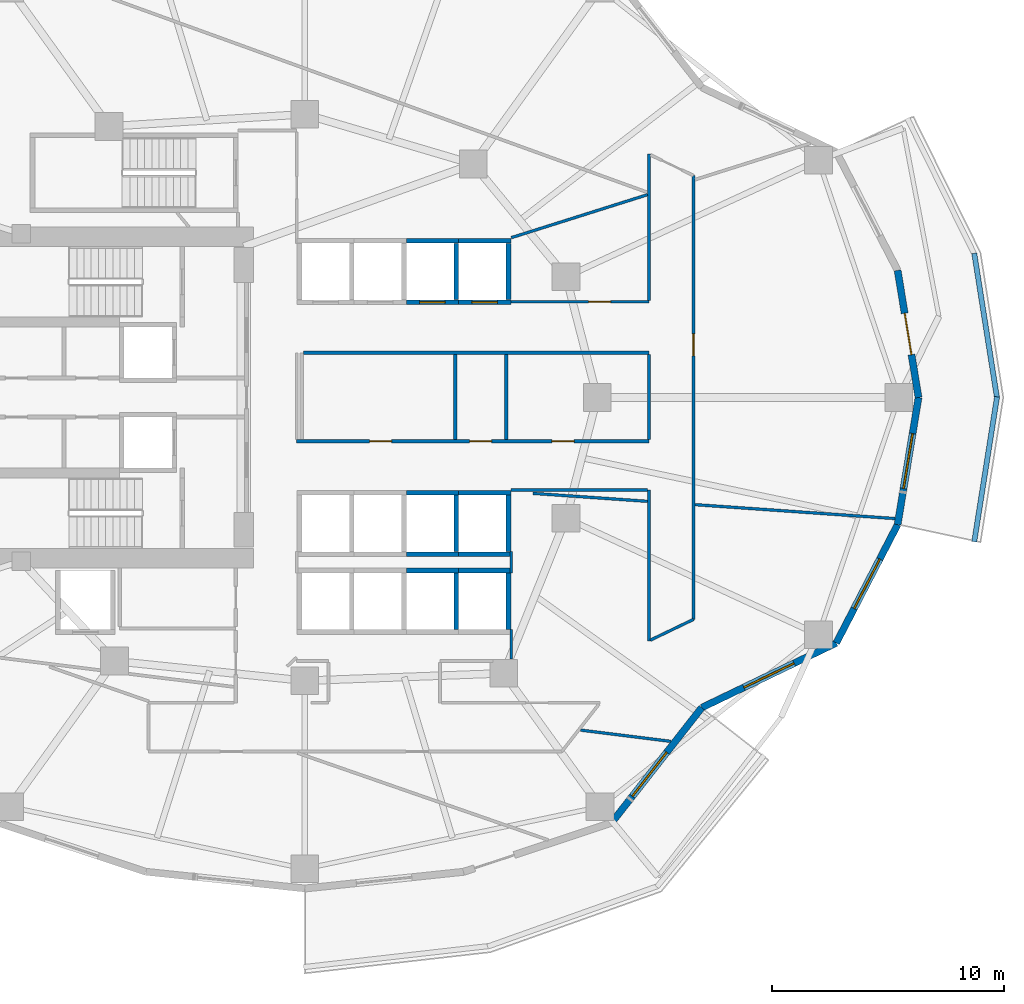
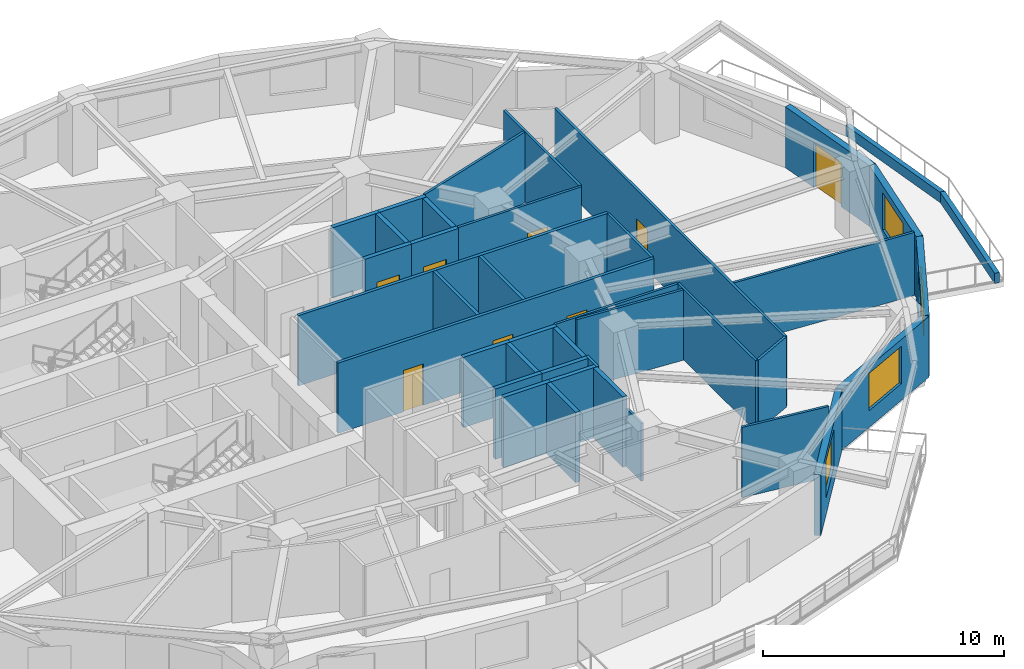
# One storey, part 5 of 11: 40 walls, 8 doors, 4 windows, 12 openings.
"""IFC4 building model written with IfcOpenShell, lengths in metres."""

from ifc_helpers import new_model, si_unit, direction, frame, frame_2d, origin, place, context, subcontext, project, spatial, rectangle, extrude, material, layer, layer_set, type_object, element, fill, save


model = new_model("IFC4")

# Units and contexts
model_context = context("Model", 3, precision=1e-05, world=origin(), true_north=direction((0.0, 1.0)))
body_context = subcontext(model_context, "Body", "Model", "MODEL_VIEW")
ifc_project = project(units=[si_unit("LENGTHUNIT", "METRE"), si_unit("AREAUNIT", "SQUARE_METRE"), si_unit("VOLUMEUNIT", "CUBIC_METRE"), si_unit("PLANEANGLEUNIT", "RADIAN"), si_unit("MASSUNIT", "GRAM", prefix="KILO")], contexts=[model_context])

# Site, building, storey
site_placement = place(None, origin())
site = spatial("IfcSite", under=ifc_project, at=site_placement, CompositionType="ELEMENT")
building_placement = place(site_placement, origin())
building = spatial("IfcBuilding", under=site, at=building_placement, Name="Kolvaren Gate Tower and Convention Centre", CompositionType="ELEMENT")
storey_placement = place(building_placement, frame((0.0, 0.0, 80.39990234375)))
storey = spatial("IfcBuildingStorey", under=building, at=storey_placement, Name="L19", CompositionType="ELEMENT", Elevation=80.39990234375)

# Wall, opening, door
ifc_material_1 = material(Name="Fire-Rated Acoustic Gypsum Stud Partition", Category="gypsum")
ifc_layer_1 = layer(ifc_material_1, 0.1201171875)
ifc_layer_set_1 = layer_set([ifc_layer_1], Name="Fire-Rated Acoustic Gypsum Stud Partition")
wall_type_1 = type_object("IfcWallType", Name="ARCH-WL-PART-120", PredefinedType="PARTITIONING", material=ifc_layer_set_1)
wall_1_placement = place(storey_placement, frame((39.02001953125, 31.1201171875, 0.0), z_axis=(0.0, 0.0, 1.0), x_axis=(1.0, 0.0, 0.0)))
wall_1 = element("IfcWall", 1, at=wall_1_placement, inside=storey, type_object=wall_type_1, Name="Interior Partition WL-L19-INT-031", PredefinedType="PARTITIONING", context=body_context, shape_type="SweptSolid", body=[
    extrude(rectangle(XDim=5.929931640625, YDim=0.1201171875, at=frame_2d((2.96484375, 0.0))), origin(), (0.0, 0.0, 1.0), 3.570068359375),
])
opening_1_placement = place(wall_1_placement, frame((3.330078125, 0.0, 0.0)))
opening_1 = element("IfcOpeningElement", 2, at=opening_1_placement, cuts=wall_1, Name="Opening DR-01", PredefinedType="OPENING", context=body_context, shape_type="SweptSolid", body=[
    extrude(rectangle(XDim=0.949951171875, YDim=2.10009765625, at=frame_2d((0.47509765625, 1.050048828125))), frame((0.0, 0.070068359375, 0.0), z_axis=(0.0, -1.0, 0.0), x_axis=(1.0, 0.0, 0.0)), (0.0, 0.0, 1.0), 0.14013671875),
])
ifc_material_2 = material(Name="Painted Architectural Steelwork ASTM A500 Grade C 345 MPa", Category="steel")
door_type_1 = type_object("IfcDoorType", Name="ARCH-DR-RISER-950", OperationType="SINGLE_SWING_RIGHT", PredefinedType="DOOR", material=ifc_material_2)
door_1_placement = place(opening_1_placement, origin())
door_1 = element("IfcDoor", 3, at=door_1_placement, inside=storey, type_object=door_type_1, Name="First-Aid Room Door", OperationType="SINGLE_SWING_LEFT", OverallHeight=2.10009765625, OverallWidth=0.949951171875, PredefinedType="DOOR", context=body_context, shape_type="SweptSolid", body=[
    extrude(rectangle(XDim=0.949951171875, YDim=2.10009765625, at=frame_2d((0.47509765625, 1.050048828125))), frame((0.0, 0.02490234375, 0.0), z_axis=(0.0, -1.0, 0.0), x_axis=(1.0, 0.0, 0.0)), (0.0, 0.0, 1.0), 0.050048828125),
])
fill(opening_1, door_1)

# Walls
wall_2_placement = place(storey_placement, frame((44.949951171875, 16.51904296875, 0.0), z_axis=(0.0, 0.0, 1.0), x_axis=(0.0, 1.0, 0.0)))
element("IfcWall", 4, at=wall_2_placement, inside=storey, type_object=wall_type_1, Name="Interior Partition WL-L19-INT-032", PredefinedType="PARTITIONING", context=body_context, shape_type="SweptSolid", body=[
    extrude(rectangle(XDim=6.5009765625, YDim=0.1201171875, at=frame_2d((3.25048828125, 0.0))), origin(), (0.0, 0.0, 1.0), 3.570068359375),
])
wall_3_placement = place(storey_placement, frame((44.949951171875, 25.197021484375, 0.0), z_axis=(0.0, 0.0, 1.0), x_axis=(0.0, 1.0, 0.0)))
element("IfcWall", 5, at=wall_3_placement, inside=storey, type_object=wall_type_1, Name="Interior Partition WL-L19-INT-033", PredefinedType="PARTITIONING", context=body_context, shape_type="SweptSolid", body=[
    extrude(rectangle(XDim=3.64599609375, YDim=0.1201171875, at=frame_2d((1.822998046875, 0.0))), origin(), (0.0, 0.0, 1.0), 3.570068359375),
])
wall_4_placement = place(storey_placement, frame((44.949951171875, 31.181884765625, 0.0), z_axis=(0.0, 0.0, 1.0), x_axis=(0.0, 1.0, 0.0)))
element("IfcWall", 6, at=wall_4_placement, inside=storey, type_object=wall_type_1, Name="Interior Partition WL-L19-INT-034", PredefinedType="PARTITIONING", context=body_context, shape_type="SweptSolid", body=[
    extrude(rectangle(XDim=6.299072265625, YDim=0.1201171875, at=frame_2d((3.1494140625, 0.0))), origin(), (0.0, 0.0, 1.0), 3.570068359375),
])

# Wall, opening, door
wall_5_placement = place(storey_placement, frame((46.8701171875, 17.44189453125, 0.0), z_axis=(0.0, 0.0, 1.0), x_axis=(0.0, 1.0, 0.0)))
wall_5 = element("IfcWall", 7, at=wall_5_placement, inside=storey, type_object=wall_type_1, Name="Interior Partition WL-L19-INT-036", PredefinedType="PARTITIONING", context=body_context, shape_type="SweptSolid", body=[
    extrude(rectangle(XDim=19.1162109375, YDim=0.1201171875, at=frame_2d((9.55810546875, 0.0))), origin(), (0.0, 0.0, 1.0), 3.570068359375),
])
opening_2_placement = place(wall_5_placement, frame((11.352294921875, 0.0, 0.0)))
opening_2 = element("IfcOpeningElement", 8, at=opening_2_placement, cuts=wall_5, Name="Opening DR-01", PredefinedType="OPENING", context=body_context, shape_type="SweptSolid", body=[
    extrude(rectangle(XDim=0.949951171875, YDim=2.10009765625, at=frame_2d((0.47509765625, 1.050048828125))), frame((0.0, 0.070068359375, 0.0), z_axis=(0.0, -1.0, 0.0), x_axis=(1.0, 0.0, 0.0)), (0.0, 0.0, 1.0), 0.14013671875),
])
door_2_placement = place(opening_2_placement, origin())
door_2 = element("IfcDoor", 9, at=door_2_placement, inside=storey, type_object=door_type_1, Name="Operations Support Staff Centre Door", OperationType="SINGLE_SWING_RIGHT", OverallHeight=2.10009765625, OverallWidth=0.949951171875, PredefinedType="DOOR", context=body_context, shape_type="SweptSolid", body=[
    extrude(rectangle(XDim=0.949951171875, YDim=2.10009765625, at=frame_2d((0.47509765625, 1.050048828125))), frame((0.0, 0.02490234375, 0.0), z_axis=(0.0, -1.0, 0.0), x_axis=(1.0, 0.0, 0.0)), (0.0, 0.0, 1.0), 0.050048828125),
])
fill(opening_2, door_2)

# Walls
wall_6_placement = place(storey_placement, frame((45.011962890625, 16.548828125, 0.0), z_axis=(0.0, 0.0, 1.0), x_axis=(0.901304887575, 0.433185294803, 0.0)))
element("IfcWall", 10, at=wall_6_placement, inside=storey, type_object=wall_type_1, Name="Interior Partition WL-L19-INT-037", PredefinedType="PARTITIONING", context=body_context, shape_type="SweptSolid", body=[
    extrude(rectangle(XDim=2.0615234375, YDim=0.1201171875, at=frame_2d((1.03076171875, 0.0))), origin(), (0.0, 0.0, 1.0), 3.570068359375),
])
wall_7_placement = place(storey_placement, frame((39.0, 23.02001953125, 0.0), z_axis=(0.0, 0.0, 1.0), x_axis=(1.0, 0.0, 0.0)))
element("IfcWall", 11, at=wall_7_placement, inside=storey, type_object=wall_type_1, Name="Interior Partition WL-L19-INT-038", PredefinedType="PARTITIONING", context=body_context, shape_type="SweptSolid", body=[
    extrude(rectangle(XDim=5.887939453125, YDim=0.1201171875, at=frame_2d((2.94384765625, 0.0))), origin(), (0.0, 0.0, 1.0), 3.570068359375),
])
wall_8_placement = place(storey_placement, frame((39.02001953125, 15.741943359375, 0.0), z_axis=(0.0, 0.0, 1.0), x_axis=(0.0, 1.0, 0.0)))
element("IfcWall", 12, at=wall_8_placement, inside=storey, type_object=wall_type_1, Name="Interior Partition WL-L19-INT-039", PredefinedType="PARTITIONING", context=body_context, shape_type="SweptSolid", body=[
    extrude(rectangle(XDim=1.26806640625, YDim=0.1201171875, at=frame_2d((0.634033203125, 0.0))), origin(), (0.0, 0.0, 1.0), 2.93408203125),
])
wall_9_placement = place(storey_placement, frame((39.02001953125, 19.43994140625, 0.0), z_axis=(0.0, 0.0, 1.0), x_axis=(0.0, 1.0, 0.0)))
element("IfcWall", 13, at=wall_9_placement, inside=storey, type_object=wall_type_1, Name="Interior Partition WL-L19-INT-039 (2)", PredefinedType="PARTITIONING", context=body_context, shape_type="SweptSolid", body=[
    extrude(rectangle(XDim=0.920166015625, YDim=0.1201171875, at=frame_2d((0.4599609375, 0.0))), origin(), (0.0, 0.0, 1.0), 3.570068359375),
])
wall_10_placement = place(storey_placement, frame((39.960693359375, 22.8701171875, 0.0), z_axis=(0.0, 0.0, 1.0), x_axis=(0.99758211908, -0.069497594858, 0.0)))
element("IfcWall", 14, at=wall_10_placement, inside=storey, type_object=wall_type_1, Name="Interior Partition WL-L19-INT-043", PredefinedType="PARTITIONING", context=body_context, shape_type="SweptSolid", body=[
    extrude(rectangle(XDim=4.939208984375, YDim=0.1201171875, at=frame_2d((2.4697265625, 0.0))), origin(), (0.0, 0.0, 1.0), 3.570068359375),
])
wall_11_placement = place(storey_placement, frame((46.931884765625, 22.384521484375, 0.0), z_axis=(0.0, 0.0, 1.0), x_axis=(0.997586585682, -0.069433450639, 0.0)))
element("IfcWall", 15, at=wall_11_placement, inside=storey, type_object=wall_type_1, Name="Interior Partition WL-L19-INT-044", PredefinedType="PARTITIONING", context=body_context, shape_type="SweptSolid", body=[
    extrude(rectangle(XDim=8.63916015625, YDim=0.1201171875, at=frame_2d((4.319580078125, 0.0))), origin(), (0.0, 0.0, 1.0), 3.205078125),
])
wall_12_placement = place(storey_placement, frame((41.999755859375, 12.673583984375, 0.0), z_axis=(0.0, 0.0, 1.0), x_axis=(0.992316110302, -0.123728481908, 0.0)))
element("IfcWall", 16, at=wall_12_placement, inside=storey, type_object=wall_type_1, Name="Interior Partition WL-L19-INT-046", PredefinedType="PARTITIONING", context=body_context, shape_type="SweptSolid", body=[
    extrude(rectangle(XDim=3.9248046875, YDim=0.1201171875, at=frame_2d((1.96240234375, 0.0))), origin(), (0.0, 0.0, 1.0), 3.570068359375),
])
wall_13_placement = place(storey_placement, frame((39.02001953125, 33.8828125, 0.0), z_axis=(0.0, 0.0, 1.0), x_axis=(0.953639615223, 0.300950966568, 0.0)))
element("IfcWall", 17, at=wall_13_placement, inside=storey, type_object=wall_type_1, Name="Interior Partition WL-L19-INT-050", PredefinedType="PARTITIONING", context=body_context, shape_type="SweptSolid", body=[
    extrude(rectangle(XDim=6.153076171875, YDim=0.1201171875, at=frame_2d((3.07666015625, 0.0))), origin(), (0.0, 0.0, 1.0), 3.570068359375),
])
ifc_material_3 = material(Name="Piedmont Cream Honed Limestone Cladding", Category="masonry")
ifc_layer_2 = layer(ifc_material_3, 0.219970703125)
ifc_layer_set_2 = layer_set([ifc_layer_2], Name="Piedmont Cream Honed Limestone Cladding")
wall_type_2 = type_object("IfcWallType", Name="ARCH-WL-PLANTER-220", PredefinedType="PARAPET", material=ifc_layer_set_2)
for number, where, z_axis, x_axis, name in (
    (18, (58.9619140625, 20.7880859375, 0.0), (0.0, 0.0, 1.0), (0.15545655238, 0.987842730561, 0.0), "Vertical-Forest Balcony Stone Planter Kerb PK-L19-4.1"),
    (19, (58.9619140625, 33.2119140625, 0.0), (0.0, 0.0, 1.0), (0.15545655238, -0.987842730561, 0.0), "Vertical-Forest Balcony Stone Planter Kerb PK-L19-4.2"),
):
    element("IfcWall", number, at=place(storey_placement, frame(where, z_axis=z_axis, x_axis=x_axis)), inside=storey, type_object=wall_type_2, Name=name, PredefinedType="PARAPET", context=body_context, shape_type="SweptSolid", body=[
        extrude(rectangle(XDim=6.318115234375, YDim=0.219970703125, at=frame_2d((3.1591796875, 0.0))), origin(), (0.0, 0.0, 1.0), 0.52001953125),
    ])
ifc_material_4 = material(Name="Autoclaved Aerated Masonry Blockwork Class 4 (4.0 MPa)", Category="masonry")
ifc_layer_3 = layer(ifc_material_4, 0.199951171875)
ifc_layer_set_3 = layer_set([ifc_layer_3], Name="Autoclaved Aerated Masonry Blockwork Class 4 (4.0 MPa)")
wall_type_3 = type_object("IfcWallType", Name="ARCH-WL-SHAFT-200", PredefinedType="SOLIDWALL", material=ifc_layer_set_3)
wall_14_placement = place(storey_placement, frame((34.5, 33.75, 0.0), z_axis=(0.0, 0.0, 1.0), x_axis=(1.0, 0.0, 0.0)))
element("IfcWall", 20, at=wall_14_placement, inside=storey, type_object=wall_type_3, Name="Elevator PL-03 L19 Fire Shaft Wall N", PredefinedType="SOLIDWALL", context=body_context, shape_type="SweptSolid", body=[
    extrude(rectangle(XDim=2.25, YDim=0.199951171875, at=frame_2d((1.125, 0.0))), origin(), (0.0, 0.0, 1.0), 3.570068359375),
])

# Wall, opening, door
wall_15_placement = place(storey_placement, frame((34.5, 31.10009765625, 0.0), z_axis=(0.0, 0.0, 1.0), x_axis=(1.0, 0.0, 0.0)))
wall_15 = element("IfcWall", 21, at=wall_15_placement, inside=storey, type_object=wall_type_3, Name="Elevator PL-03 L19 Fire Shaft Wall S", PredefinedType="SOLIDWALL", context=body_context, shape_type="SweptSolid", body=[
    extrude(rectangle(XDim=2.25, YDim=0.199951171875, at=frame_2d((1.125, 0.0))), origin(), (0.0, 0.0, 1.0), 3.570068359375),
])
opening_3_placement = place(wall_15_placement, frame((0.574951171875, 0.0, 0.0)))
opening_3 = element("IfcOpeningElement", 22, at=opening_3_placement, cuts=wall_15, Name="Opening LD", PredefinedType="OPENING", context=body_context, shape_type="SweptSolid", body=[
    extrude(rectangle(XDim=1.10009765625, YDim=2.199951171875, at=frame_2d((0.550048828125, 1.10009765625))), frame((0.0, 0.10986328125, 0.0), z_axis=(0.0, -1.0, 0.0), x_axis=(1.0, 0.0, 0.0)), (0.0, 0.0, 1.0), 0.219970703125),
])
ifc_material_5 = material(Name="Brushed Stainless Steel Grade 316L", Category="steel")
door_type_2 = type_object("IfcDoorType", Name="ARCH-DR-LIFT-1100", OperationType="SLIDING_TO_LEFT", PredefinedType="DOOR", material=ifc_material_5)
door_3_placement = place(opening_3_placement, origin())
door_3 = element("IfcDoor", 23, at=door_3_placement, inside=storey, type_object=door_type_2, Name="Elevator PL-03 L19 Sliding Landing Door", OperationType="SLIDING_TO_LEFT", OverallHeight=2.199951171875, OverallWidth=1.10009765625, PredefinedType="DOOR", context=body_context, shape_type="SweptSolid", body=[
    extrude(rectangle(XDim=1.10009765625, YDim=2.199951171875, at=frame_2d((0.550048828125, 1.10009765625))), frame((0.0, 0.02490234375, 0.0), z_axis=(0.0, -1.0, 0.0), x_axis=(1.0, 0.0, 0.0)), (0.0, 0.0, 1.0), 0.050048828125),
])
fill(opening_3, door_3)

# Walls
wall_16_placement = place(storey_placement, frame((36.64990234375, 31.2099609375, 0.0), z_axis=(0.0, 0.0, 1.0), x_axis=(0.0, 1.0, 0.0)))
element("IfcWall", 24, at=wall_16_placement, inside=storey, type_object=wall_type_3, Name="Elevator PL-03 L19 Fire Shaft Wall E", PredefinedType="SOLIDWALL", context=body_context, shape_type="SweptSolid", body=[
    extrude(rectangle(XDim=2.429931640625, YDim=0.199951171875, at=frame_2d((1.21484375, 0.0))), origin(), (0.0, 0.0, 1.0), 3.570068359375),
])
wall_17_placement = place(storey_placement, frame((36.75, 33.75, 0.0), z_axis=(0.0, 0.0, 1.0), x_axis=(1.0, 0.0, 0.0)))
element("IfcWall", 25, at=wall_17_placement, inside=storey, type_object=wall_type_3, Name="Elevator PL-04 L19 Fire Shaft Wall N", PredefinedType="SOLIDWALL", context=body_context, shape_type="SweptSolid", body=[
    extrude(rectangle(XDim=2.25, YDim=0.199951171875, at=frame_2d((1.125, 0.0))), origin(), (0.0, 0.0, 1.0), 3.570068359375),
])

# Wall, opening, door
wall_18_placement = place(storey_placement, frame((36.75, 31.10009765625, 0.0), z_axis=(0.0, 0.0, 1.0), x_axis=(1.0, 0.0, 0.0)))
wall_18 = element("IfcWall", 26, at=wall_18_placement, inside=storey, type_object=wall_type_3, Name="Elevator PL-04 L19 Fire Shaft Wall S", PredefinedType="SOLIDWALL", context=body_context, shape_type="SweptSolid", body=[
    extrude(rectangle(XDim=2.25, YDim=0.199951171875, at=frame_2d((1.125, 0.0))), origin(), (0.0, 0.0, 1.0), 3.570068359375),
])
opening_4_placement = place(wall_18_placement, frame((0.574951171875, 0.0, 0.0)))
opening_4 = element("IfcOpeningElement", 27, at=opening_4_placement, cuts=wall_18, Name="Opening LD", PredefinedType="OPENING", context=body_context, shape_type="SweptSolid", body=[
    extrude(rectangle(XDim=1.10009765625, YDim=2.199951171875, at=frame_2d((0.550048828125, 1.10009765625))), frame((0.0, 0.10986328125, 0.0), z_axis=(0.0, -1.0, 0.0), x_axis=(1.0, 0.0, 0.0)), (0.0, 0.0, 1.0), 0.219970703125),
])
door_4_placement = place(opening_4_placement, origin())
door_4 = element("IfcDoor", 28, at=door_4_placement, inside=storey, type_object=door_type_2, Name="Elevator PL-04 L19 Sliding Landing Door", OperationType="SLIDING_TO_LEFT", OverallHeight=2.199951171875, OverallWidth=1.10009765625, PredefinedType="DOOR", context=body_context, shape_type="SweptSolid", body=[
    extrude(rectangle(XDim=1.10009765625, YDim=2.199951171875, at=frame_2d((0.550048828125, 1.10009765625))), frame((0.0, 0.02490234375, 0.0), z_axis=(0.0, -1.0, 0.0), x_axis=(1.0, 0.0, 0.0)), (0.0, 0.0, 1.0), 0.050048828125),
])
fill(opening_4, door_4)

# Walls
wall_19_placement = place(storey_placement, frame((38.89990234375, 31.2099609375, 0.0), z_axis=(0.0, 0.0, 1.0), x_axis=(0.0, 1.0, 0.0)))
element("IfcWall", 29, at=wall_19_placement, inside=storey, type_object=wall_type_3, Name="Elevator PL-04 L19 Fire Shaft Wall E", PredefinedType="SOLIDWALL", context=body_context, shape_type="SweptSolid", body=[
    extrude(rectangle(XDim=2.429931640625, YDim=0.199951171875, at=frame_2d((1.21484375, 0.0))), origin(), (0.0, 0.0, 1.0), 3.570068359375),
])
wall_20_placement = place(storey_placement, frame((34.5, 19.550048828125, 0.0), z_axis=(0.0, 0.0, 1.0), x_axis=(1.0, 0.0, 0.0)))
element("IfcWall", 30, at=wall_20_placement, inside=storey, type_object=wall_type_3, Name="Elevator PL-07 L19 Fire Shaft Wall N", PredefinedType="SOLIDWALL", context=body_context, shape_type="SweptSolid", body=[
    extrude(rectangle(XDim=2.25, YDim=0.199951171875, at=frame_2d((1.125, 0.0))), origin(), (0.0, 0.0, 1.0), 3.570068359375),
])
wall_21_placement = place(storey_placement, frame((36.64990234375, 17.010009765625, 0.0), z_axis=(0.0, 0.0, 1.0), x_axis=(0.0, 1.0, 0.0)))
element("IfcWall", 31, at=wall_21_placement, inside=storey, type_object=wall_type_3, Name="Elevator PL-07 L19 Fire Shaft Wall E", PredefinedType="SOLIDWALL", context=body_context, shape_type="SweptSolid", body=[
    extrude(rectangle(XDim=2.429931640625, YDim=0.199951171875, at=frame_2d((1.21484375, 0.0))), origin(), (0.0, 0.0, 1.0), 3.570068359375),
])
wall_22_placement = place(storey_placement, frame((36.75, 19.550048828125, 0.0), z_axis=(0.0, 0.0, 1.0), x_axis=(1.0, 0.0, 0.0)))
element("IfcWall", 32, at=wall_22_placement, inside=storey, type_object=wall_type_3, Name="Elevator PL-08 L19 Fire Shaft Wall N", PredefinedType="SOLIDWALL", context=body_context, shape_type="SweptSolid", body=[
    extrude(rectangle(XDim=2.25, YDim=0.199951171875, at=frame_2d((1.125, 0.0))), origin(), (0.0, 0.0, 1.0), 3.570068359375),
])
wall_23_placement = place(storey_placement, frame((38.89990234375, 17.010009765625, 0.0), z_axis=(0.0, 0.0, 1.0), x_axis=(0.0, 1.0, 0.0)))
element("IfcWall", 33, at=wall_23_placement, inside=storey, type_object=wall_type_3, Name="Elevator PL-08 L19 Fire Shaft Wall E", PredefinedType="SOLIDWALL", context=body_context, shape_type="SweptSolid", body=[
    extrude(rectangle(XDim=2.429931640625, YDim=0.199951171875, at=frame_2d((1.21484375, 0.0))), origin(), (0.0, 0.0, 1.0), 3.570068359375),
])
for number, where, z_axis, x_axis, name in (
    (34, (34.5, 22.89990234375, 0.0), (0.0, 0.0, 1.0), (1.0, 0.0, 0.0), "Elevator PL-11 L19 Fire Shaft Wall N"),
    (35, (34.5, 20.25, 0.0), (0.0, 0.0, 1.0), (1.0, 0.0, 0.0), "Elevator PL-11 L19 Fire Shaft Wall S"),
):
    element("IfcWall", number, at=place(storey_placement, frame(where, z_axis=z_axis, x_axis=x_axis)), inside=storey, type_object=wall_type_3, Name=name, PredefinedType="SOLIDWALL", context=body_context, shape_type="SweptSolid", body=[
        extrude(rectangle(XDim=2.25, YDim=0.199951171875, at=frame_2d((1.125, 0.0))), origin(), (0.0, 0.0, 1.0), 3.570068359375),
    ])
wall_24_placement = place(storey_placement, frame((36.64990234375, 20.360107421875, 0.0), z_axis=(0.0, 0.0, 1.0), x_axis=(0.0, 1.0, 0.0)))
element("IfcWall", 36, at=wall_24_placement, inside=storey, type_object=wall_type_3, Name="Elevator PL-11 L19 Fire Shaft Wall E", PredefinedType="SOLIDWALL", context=body_context, shape_type="SweptSolid", body=[
    extrude(rectangle(XDim=2.429931640625, YDim=0.199951171875, at=frame_2d((1.21484375, 0.0))), origin(), (0.0, 0.0, 1.0), 3.570068359375),
])
for number, where, z_axis, x_axis, name in (
    (37, (36.75, 22.89990234375, 0.0), (0.0, 0.0, 1.0), (1.0, 0.0, 0.0), "Elevator PL-12 L19 Fire Shaft Wall N"),
    (38, (36.75, 20.25, 0.0), (0.0, 0.0, 1.0), (1.0, 0.0, 0.0), "Elevator PL-12 L19 Fire Shaft Wall S"),
):
    element("IfcWall", number, at=place(storey_placement, frame(where, z_axis=z_axis, x_axis=x_axis)), inside=storey, type_object=wall_type_3, Name=name, PredefinedType="SOLIDWALL", context=body_context, shape_type="SweptSolid", body=[
        extrude(rectangle(XDim=2.25, YDim=0.199951171875, at=frame_2d((1.125, 0.0))), origin(), (0.0, 0.0, 1.0), 3.570068359375),
    ])
wall_25_placement = place(storey_placement, frame((38.89990234375, 20.360107421875, 0.0), z_axis=(0.0, 0.0, 1.0), x_axis=(0.0, 1.0, 0.0)))
element("IfcWall", 39, at=wall_25_placement, inside=storey, type_object=wall_type_3, Name="Elevator PL-12 L19 Fire Shaft Wall E", PredefinedType="SOLIDWALL", context=body_context, shape_type="SweptSolid", body=[
    extrude(rectangle(XDim=2.429931640625, YDim=0.199951171875, at=frame_2d((1.21484375, 0.0))), origin(), (0.0, 0.0, 1.0), 3.570068359375),
])

# Wall, opening, door
ifc_layer_4 = layer(ifc_material_3, 0.300048828125)
ifc_layer_set_4 = layer_set([ifc_layer_4], Name="Piedmont Cream Honed Limestone Cladding")
wall_type_4 = type_object("IfcWallType", Name="ARCH-WL-STONE-300", PredefinedType="SOLIDWALL", material=ifc_layer_set_4)
wall_26_placement = place(storey_placement, frame((55.66162109375, 32.47412109375, 0.0), z_axis=(0.0, 0.0, 1.0), x_axis=(0.162386212206, -0.986727276447, 0.0)))
wall_26 = element("IfcWall", 40, at=wall_26_placement, inside=storey, type_object=wall_type_4, Name="Tower L19 Honed Stone Spandrel Wall EW-00", PredefinedType="SOLIDWALL", context=body_context, shape_type="SweptSolid", body=[
    extrude(rectangle(XDim=5.5478515625, YDim=0.300048828125, at=frame_2d((2.77392578125, 0.0))), origin(), (0.0, 0.0, 1.0), 3.093017578125),
])
opening_5_placement = place(wall_26_placement, frame((1.8740234375, 0.0, 0.0)))
opening_5 = element("IfcOpeningElement", 41, at=opening_5_placement, cuts=wall_26, Name="Opening DB-01", PredefinedType="OPENING", context=body_context, shape_type="SweptSolid", body=[
    extrude(rectangle(XDim=1.800048828125, YDim=2.25, at=frame_2d((0.89990234375, 1.125))), frame((0.0, 0.159912109375, 0.0), z_axis=(0.0, -1.0, 0.0), x_axis=(1.0, 0.0, 0.0)), (0.0, 0.0, 1.0), 0.320068359375),
])
ifc_material_6 = material(Name="Anodized Architectural Aluminium Alloy 6063-T6", Category="aluminium")
door_type_3 = type_object("IfcDoorType", Name="ARCH-DR-BALC-1800", OperationType="SLIDING_TO_LEFT", PredefinedType="DOOR", material=ifc_material_6)
door_5_placement = place(opening_5_placement, origin())
door_5 = element("IfcDoor", 42, at=door_5_placement, inside=storey, type_object=door_type_3, Name="Planted Sky Terrace Access Door DB-L19-00", OperationType="SLIDING_TO_LEFT", OverallHeight=2.25, OverallWidth=1.800048828125, PredefinedType="DOOR", context=body_context, shape_type="SweptSolid", body=[
    extrude(rectangle(XDim=1.800048828125, YDim=2.25, at=frame_2d((0.89990234375, 1.125))), frame((0.0, 0.02490234375, 0.0), z_axis=(0.0, -1.0, 0.0), x_axis=(1.0, 0.0, 0.0)), (0.0, 0.0, 1.0), 0.050048828125),
])
fill(opening_5, door_5)

# Wall, opening, window
wall_27_placement = place(storey_placement, frame((43.34375, 8.68359375, 0.0), z_axis=(0.0, 0.0, 1.0), x_axis=(0.616434798832, 0.78740595552, 0.0)))
wall_27 = element("IfcWall", 43, at=wall_27_placement, inside=storey, type_object=wall_type_4, Name="Tower L19 Honed Stone Spandrel Wall EW-20", PredefinedType="SOLIDWALL", context=body_context, shape_type="SweptSolid", body=[
    extrude(rectangle(XDim=6.29443359375, YDim=0.300048828125, at=frame_2d((3.147216796875, 0.0))), origin(), (0.0, 0.0, 1.0), 3.093017578125),
])
opening_6_placement = place(wall_27_placement, frame((1.449951171875, 0.0, 0.85009765625)))
opening_6 = element("IfcOpeningElement", 44, at=opening_6_placement, cuts=wall_27, Name="Opening W-01", PredefinedType="OPENING", context=body_context, shape_type="SweptSolid", body=[
    extrude(rectangle(XDim=2.39990234375, YDim=1.89990234375, at=frame_2d((1.199951171875, 0.949951171875))), frame((0.0, 0.159912109375, 0.0), z_axis=(0.0, -1.0, 0.0), x_axis=(1.0, 0.0, 0.0)), (0.0, 0.0, 1.0), 0.320068359375),
])
ifc_material_7 = material(Name="Low-E Triple Insulated Glazing Unit 44 mm", Category="glass")
window_type = type_object("IfcWindowType", Name="ARCH-WN-OFF-2400", PartitioningType="SINGLE_PANEL", PredefinedType="WINDOW", material=ifc_material_7)
window_1_placement = place(opening_6_placement, origin())
window_1 = element("IfcWindow", 45, at=window_1_placement, inside=storey, type_object=window_type, Name="Tower L19 Punched Stone Facade Window W-20", OverallHeight=1.89990234375, OverallWidth=2.39990234375, PartitioningType="SINGLE_PANEL", PredefinedType="WINDOW", context=body_context, shape_type="SweptSolid", body=[
    extrude(rectangle(XDim=2.39990234375, YDim=1.89990234375, at=frame_2d((1.199951171875, 0.949951171875))), frame((0.0, 0.030029296875, 0.0), z_axis=(0.0, -1.0, 0.0), x_axis=(1.0, 0.0, 0.0)), (0.0, 0.0, 1.0), 0.06005859375),
])
fill(opening_6, window_1)

wall_28_placement = place(storey_placement, frame((47.223876953125, 13.639892578125, 0.0), z_axis=(0.0, 0.0, 1.0), x_axis=(0.901354747727, 0.433081538224, 0.0)))
wall_28 = element("IfcWall", 46, at=wall_28_placement, inside=storey, type_object=wall_type_4, Name="Tower L19 Honed Stone Spandrel Wall EW-21", PredefinedType="SOLIDWALL", context=body_context, shape_type="SweptSolid", body=[
    extrude(rectangle(XDim=6.430908203125, YDim=0.300048828125, at=frame_2d((3.21533203125, 0.0))), origin(), (0.0, 0.0, 1.0), 3.093017578125),
])
opening_7_placement = place(wall_28_placement, frame((2.014892578125, 0.0, 0.85009765625)))
opening_7 = element("IfcOpeningElement", 47, at=opening_7_placement, cuts=wall_28, Name="Opening W-01", PredefinedType="OPENING", context=body_context, shape_type="SweptSolid", body=[
    extrude(rectangle(XDim=2.39990234375, YDim=1.89990234375, at=frame_2d((1.199951171875, 0.949951171875))), frame((0.0, 0.159912109375, 0.0), z_axis=(0.0, -1.0, 0.0), x_axis=(1.0, 0.0, 0.0)), (0.0, 0.0, 1.0), 0.320068359375),
])
window_2_placement = place(opening_7_placement, origin())
window_2 = element("IfcWindow", 48, at=window_2_placement, inside=storey, type_object=window_type, Name="Tower L19 Punched Stone Facade Window W-21", OverallHeight=1.89990234375, OverallWidth=2.39990234375, PartitioningType="SINGLE_PANEL", PredefinedType="WINDOW", context=body_context, shape_type="SweptSolid", body=[
    extrude(rectangle(XDim=2.39990234375, YDim=1.89990234375, at=frame_2d((1.199951171875, 0.949951171875))), frame((0.0, 0.030029296875, 0.0), z_axis=(0.0, -1.0, 0.0), x_axis=(1.0, 0.0, 0.0)), (0.0, 0.0, 1.0), 0.06005859375),
])
fill(opening_7, window_2)

wall_29_placement = place(storey_placement, frame((53.0205078125, 16.425048828125, 0.0), z_axis=(0.0, 0.0, 1.0), x_axis=(0.459800981414, 0.888021991558, 0.0)))
wall_29 = element("IfcWall", 49, at=wall_29_placement, inside=storey, type_object=wall_type_4, Name="Tower L19 Honed Stone Spandrel Wall EW-22", PredefinedType="SOLIDWALL", context=body_context, shape_type="SweptSolid", body=[
    extrude(rectangle(XDim=5.744140625, YDim=0.300048828125, at=frame_2d((2.8720703125, 0.0))), origin(), (0.0, 0.0, 1.0), 3.093017578125),
])
opening_8_placement = place(wall_29_placement, frame((1.672119140625, 0.0, 0.85009765625)))
opening_8 = element("IfcOpeningElement", 50, at=opening_8_placement, cuts=wall_29, Name="Opening W-01", PredefinedType="OPENING", context=body_context, shape_type="SweptSolid", body=[
    extrude(rectangle(XDim=2.39990234375, YDim=1.89990234375, at=frame_2d((1.199951171875, 0.949951171875))), frame((0.0, 0.159912109375, 0.0), z_axis=(0.0, -1.0, 0.0), x_axis=(1.0, 0.0, 0.0)), (0.0, 0.0, 1.0), 0.320068359375),
])
window_3_placement = place(opening_8_placement, origin())
window_3 = element("IfcWindow", 51, at=window_3_placement, inside=storey, type_object=window_type, Name="Tower L19 Punched Stone Facade Window W-22", OverallHeight=1.89990234375, OverallWidth=2.39990234375, PartitioningType="SINGLE_PANEL", PredefinedType="WINDOW", context=body_context, shape_type="SweptSolid", body=[
    extrude(rectangle(XDim=2.39990234375, YDim=1.89990234375, at=frame_2d((1.199951171875, 0.949951171875))), frame((0.0, 0.030029296875, 0.0), z_axis=(0.0, -1.0, 0.0), x_axis=(1.0, 0.0, 0.0)), (0.0, 0.0, 1.0), 0.06005859375),
])
fill(opening_8, window_3)

wall_30_placement = place(storey_placement, frame((55.66162109375, 21.52587890625, 0.0), z_axis=(0.0, 0.0, 1.0), x_axis=(0.162386212206, 0.986727276447, 0.0)))
wall_30 = element("IfcWall", 52, at=wall_30_placement, inside=storey, type_object=wall_type_4, Name="Tower L19 Honed Stone Spandrel Wall EW-23", PredefinedType="SOLIDWALL", context=body_context, shape_type="SweptSolid", body=[
    extrude(rectangle(XDim=5.5478515625, YDim=0.300048828125, at=frame_2d((2.77392578125, 0.0))), origin(), (0.0, 0.0, 1.0), 3.093017578125),
])
opening_9_placement = place(wall_30_placement, frame((1.573974609375, 0.0, 0.85009765625)))
opening_9 = element("IfcOpeningElement", 53, at=opening_9_placement, cuts=wall_30, Name="Opening W-01", PredefinedType="OPENING", context=body_context, shape_type="SweptSolid", body=[
    extrude(rectangle(XDim=2.39990234375, YDim=1.89990234375, at=frame_2d((1.199951171875, 0.949951171875))), frame((0.0, 0.159912109375, 0.0), z_axis=(0.0, -1.0, 0.0), x_axis=(1.0, 0.0, 0.0)), (0.0, 0.0, 1.0), 0.320068359375),
])
window_4_placement = place(opening_9_placement, origin())
window_4 = element("IfcWindow", 54, at=window_4_placement, inside=storey, type_object=window_type, Name="Tower L19 Punched Stone Facade Window W-23", OverallHeight=1.89990234375, OverallWidth=2.39990234375, PartitioningType="SINGLE_PANEL", PredefinedType="WINDOW", context=body_context, shape_type="SweptSolid", body=[
    extrude(rectangle(XDim=2.39990234375, YDim=1.89990234375, at=frame_2d((1.199951171875, 0.949951171875))), frame((0.0, 0.030029296875, 0.0), z_axis=(0.0, -1.0, 0.0), x_axis=(1.0, 0.0, 0.0)), (0.0, 0.0, 1.0), 0.06005859375),
])
fill(opening_9, window_4)

# Wall, openings, doors
ifc_material_8 = material(Name="Moisture-Resistant Cement-Board Acoustic Partition", Category="gypsum")
ifc_layer_5 = layer(ifc_material_8, 0.14990234375)
ifc_layer_set_5 = layer_set([ifc_layer_5], Name="Moisture-Resistant Cement-Board Acoustic Partition")
wall_type_5 = type_object("IfcWallType", Name="ARCH-WL-WET-150", PredefinedType="PARTITIONING", material=ifc_layer_set_5)
wall_31_placement = place(storey_placement, frame((29.780029296875, 25.1201171875, 0.0), z_axis=(0.0, 0.0, 1.0), x_axis=(1.0, 0.0, 0.0)))
wall_31 = element("IfcWall", 55, at=wall_31_placement, inside=storey, type_object=wall_type_5, Name="Interior Partition WL-L19-INT-012", PredefinedType="PARTITIONING", context=body_context, shape_type="SweptSolid", body=[
    extrude(rectangle(XDim=15.169921875, YDim=0.14990234375, at=frame_2d((7.5849609375, 0.0))), origin(), (0.0, 0.0, 1.0), 3.570068359375),
])
opening_10_placement = place(wall_31_placement, frame((3.139892578125, 0.0, 0.0)))
opening_10 = element("IfcOpeningElement", 56, at=opening_10_placement, cuts=wall_31, Name="Opening DR-01", PredefinedType="OPENING", context=body_context, shape_type="SweptSolid", body=[
    extrude(rectangle(XDim=0.949951171875, YDim=2.10009765625, at=frame_2d((0.47509765625, 1.050048828125))), frame((0.0, 0.0849609375, 0.0), z_axis=(0.0, -1.0, 0.0), x_axis=(1.0, 0.0, 0.0)), (0.0, 0.0, 1.0), 0.169921875),
])
opening_11_placement = place(wall_31_placement, frame((7.445068359375, 0.0, 0.0)))
opening_11 = element("IfcOpeningElement", 57, at=opening_11_placement, cuts=wall_31, Name="Opening DR-01", PredefinedType="OPENING", context=body_context, shape_type="SweptSolid", body=[
    extrude(rectangle(XDim=0.949951171875, YDim=2.10009765625, at=frame_2d((0.47509765625, 1.050048828125))), frame((0.0, 0.0849609375, 0.0), z_axis=(0.0, -1.0, 0.0), x_axis=(1.0, 0.0, 0.0)), (0.0, 0.0, 1.0), 0.169921875),
])
opening_12_placement = place(wall_31_placement, frame((10.9951171875, 0.0, 0.0)))
opening_12 = element("IfcOpeningElement", 58, at=opening_12_placement, cuts=wall_31, Name="Opening DR-01", PredefinedType="OPENING", context=body_context, shape_type="SweptSolid", body=[
    extrude(rectangle(XDim=0.949951171875, YDim=2.10009765625, at=frame_2d((0.47509765625, 1.050048828125))), frame((0.0, 0.0849609375, 0.0), z_axis=(0.0, -1.0, 0.0), x_axis=(1.0, 0.0, 0.0)), (0.0, 0.0, 1.0), 0.169921875),
])
door_6_placement = place(opening_10_placement, origin())
door_6 = element("IfcDoor", 59, at=door_6_placement, inside=storey, type_object=door_type_1, Name="Accessible Universal Washroom Door", OperationType="SINGLE_SWING_LEFT", OverallHeight=2.10009765625, OverallWidth=0.949951171875, PredefinedType="DOOR", context=body_context, shape_type="SweptSolid", body=[
    extrude(rectangle(XDim=0.949951171875, YDim=2.10009765625, at=frame_2d((0.47509765625, 1.050048828125))), frame((0.0, 0.02490234375, 0.0), z_axis=(0.0, -1.0, 0.0), x_axis=(1.0, 0.0, 0.0)), (0.0, 0.0, 1.0), 0.050048828125),
])
fill(opening_10, door_6)
door_7_placement = place(opening_11_placement, origin())
door_7 = element("IfcDoor", 60, at=door_7_placement, inside=storey, type_object=door_type_1, Name="Floor Janitor and Supply Store Door", OperationType="SINGLE_SWING_RIGHT", OverallHeight=2.10009765625, OverallWidth=0.949951171875, PredefinedType="DOOR", context=body_context, shape_type="SweptSolid", body=[
    extrude(rectangle(XDim=0.949951171875, YDim=2.10009765625, at=frame_2d((0.47509765625, 1.050048828125))), frame((0.0, 0.02490234375, 0.0), z_axis=(0.0, -1.0, 0.0), x_axis=(1.0, 0.0, 0.0)), (0.0, 0.0, 1.0), 0.050048828125),
])
fill(opening_11, door_7)
door_8_placement = place(opening_12_placement, origin())
door_8 = element("IfcDoor", 61, at=door_8_placement, inside=storey, type_object=door_type_1, Name="Cellular Office Door", OperationType="SINGLE_SWING_LEFT", OverallHeight=2.10009765625, OverallWidth=0.949951171875, PredefinedType="DOOR", context=body_context, shape_type="SweptSolid", body=[
    extrude(rectangle(XDim=0.949951171875, YDim=2.10009765625, at=frame_2d((0.47509765625, 1.050048828125))), frame((0.0, 0.02490234375, 0.0), z_axis=(0.0, -1.0, 0.0), x_axis=(1.0, 0.0, 0.0)), (0.0, 0.0, 1.0), 0.050048828125),
])
fill(opening_12, door_8)

# Walls
wall_32_placement = place(storey_placement, frame((30.076904296875, 28.919921875, 0.0), z_axis=(0.0, 0.0, 1.0), x_axis=(1.0, 0.0, 0.0)))
element("IfcWall", 62, at=wall_32_placement, inside=storey, type_object=wall_type_5, Name="Interior Partition WL-L19-INT-014", PredefinedType="PARTITIONING", context=body_context, shape_type="SweptSolid", body=[
    extrude(rectangle(XDim=14.873046875, YDim=0.14990234375, at=frame_2d((7.4365234375, 0.0))), origin(), (0.0, 0.0, 1.0), 3.570068359375),
])
for number, where, z_axis, x_axis, name in (
    (63, (36.60009765625, 25.197021484375, 0.0), (0.0, 0.0, 1.0), (0.0, 1.0, 0.0), "Interior Partition WL-L19-INT-015"),
    (64, (38.800048828125, 25.197021484375, 0.0), (0.0, 0.0, 1.0), (0.0, 1.0, 0.0), "Interior Partition WL-L19-INT-016"),
):
    element("IfcWall", number, at=place(storey_placement, frame(where, z_axis=z_axis, x_axis=x_axis)), inside=storey, type_object=wall_type_5, Name=name, PredefinedType="PARTITIONING", context=body_context, shape_type="SweptSolid", body=[
        extrude(rectangle(XDim=3.64599609375, YDim=0.14990234375, at=frame_2d((1.822998046875, 0.0))), origin(), (0.0, 0.0, 1.0), 3.570068359375),
    ])

save(model, "model.ifc")
